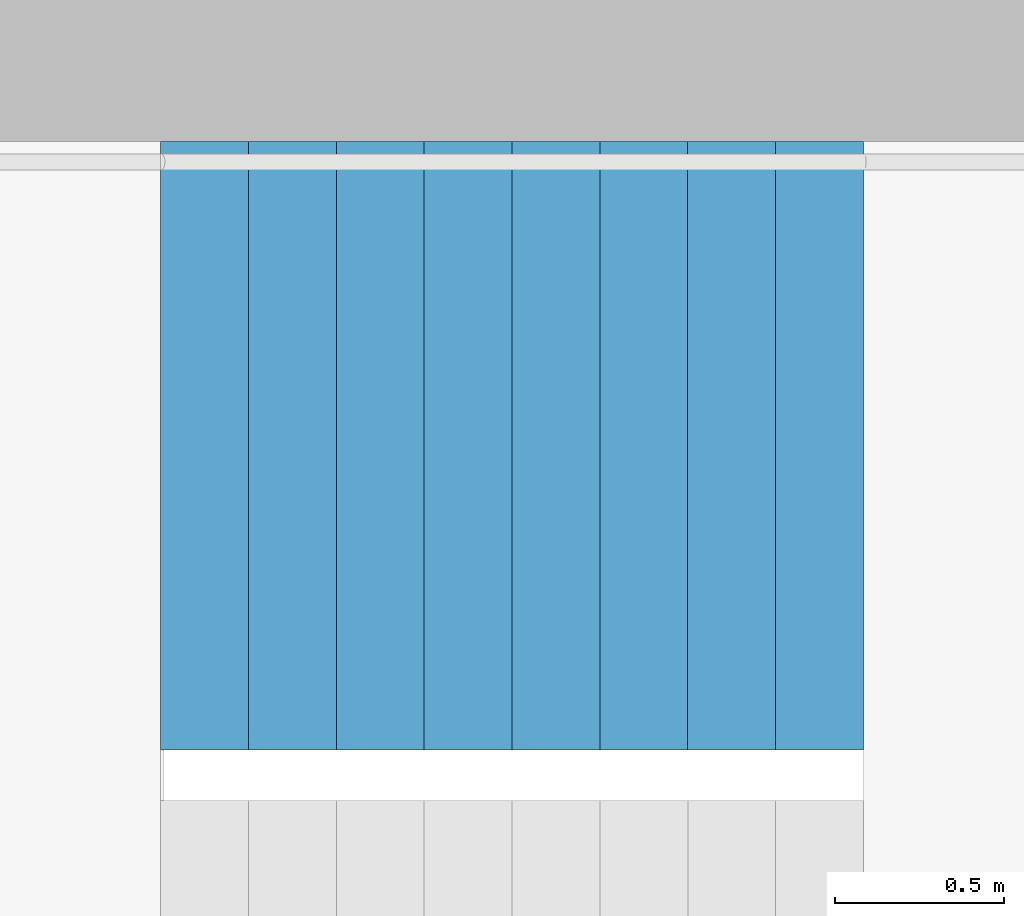
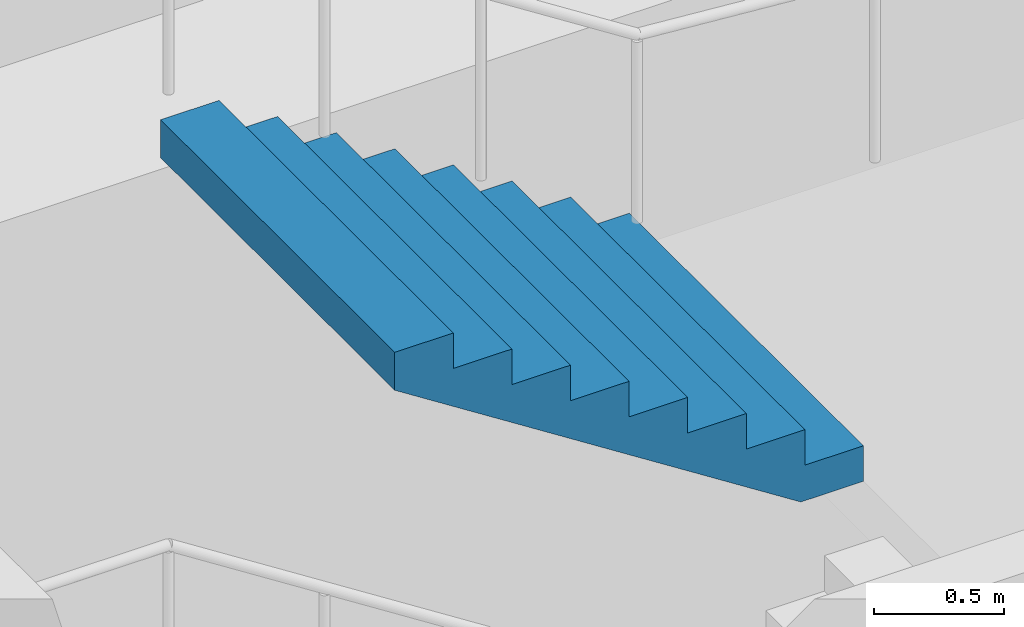
# One storey, part 57 of 100: 1 stair flight, 1 element without a shape of its own.
"""IFC4 building model written with IfcOpenShell, lengths in metres."""

import ifcopenshell
import ifcopenshell.guid

model = None  # the IFC model being written
_history = None  # IfcOwnerHistory: only IFC2X3 demands one
_inside = {}  # id of a spatial element -> (the spatial element, [elements in it])
_under = {}  # id of a project, library or spatial element -> (it, [spatial elements below it])
_declared = {}  # id of a project -> (the project, [libraries it declares])
_typed = {}  # id of a type object -> (the type object, [elements of that type])
_made_of = {}  # id of a material, layer set ... -> (it, [elements and type objects made of it])


def new_model(schema):
    """Start an empty IFC model of exactly this schema.

    Asked for "IFC4X3", IfcOpenShell would pick the latest addendum, in which some entities
    have other attributes; the version numbers below select the first issue.
    IFC2X3 requires an IfcOwnerHistory on every rooted entity: one is made here for all.
    """
    global model, _history
    if schema == "IFC4X3":
        model = ifcopenshell.file(schema_version=(4, 3, 0, 0))
    else:
        model = ifcopenshell.file(schema=schema)
    _inside.clear()
    _under.clear()
    _declared.clear()
    _typed.clear()
    _made_of.clear()
    _history = None
    if model.schema == "IFC2X3":
        org = make("IfcOrganization", Name="unknown")
        user = make(
            "IfcPersonAndOrganization",
            ThePerson=make("IfcPerson", FamilyName="unknown"),
            TheOrganization=org,
        )
        app = make(
            "IfcApplication",
            ApplicationDeveloper=org,
            Version="unknown",
            ApplicationFullName="unknown",
            ApplicationIdentifier="unknown",
        )
        _history = make(
            "IfcOwnerHistory",
            OwningUser=user,
            OwningApplication=app,
            ChangeAction="ADDED",
            CreationDate=0,
        )
    return model


def make(cls, **values):
    """One entity of the class cls with the attributes given. An attribute that is None is left unset."""
    return model.create_entity(
        cls, **{name: value for name, value in values.items() if value is not None}
    )


def rooted(cls, **values):
    """An entity with a GlobalId (a new one), such as an element, a storey or a relation."""
    return make(cls, GlobalId=ifcopenshell.guid.new(), OwnerHistory=_history, **values)


def si_unit(unit_type, name, prefix=None):
    """IfcSIUnit, for example si_unit("LENGTHUNIT", "METRE", prefix="MILLI")."""
    return make("IfcSIUnit", UnitType=unit_type, Prefix=prefix, Name=name)


def assignment(units):
    """IfcUnitAssignment: the units of a project."""
    return None if units is None else make("IfcUnitAssignment", Units=units)


def point(xyz):
    """IfcCartesianPoint."""
    return None if xyz is None else make("IfcCartesianPoint", Coordinates=xyz)


def direction(xyz):
    """IfcDirection."""
    return None if xyz is None else make("IfcDirection", DirectionRatios=xyz)


def frame(location, z_axis=None, x_axis=None):
    """IfcAxis2Placement3D, a coordinate frame: its origin and axes. An axis left out is left unset."""
    return make(
        "IfcAxis2Placement3D",
        Location=point(location),
        Axis=direction(z_axis),
        RefDirection=direction(x_axis),
    )


def origin():
    """The frame at (0, 0, 0) with its axes left unset."""
    return frame((0.0, 0.0, 0.0))


def place(relative_to, where):
    """IfcLocalPlacement: puts the frame where relative to a parent placement (None: the world)."""
    return make(
        "IfcLocalPlacement", PlacementRelTo=relative_to, RelativePlacement=where
    )


def context(
    kind, dimensions, precision=None, world=None, true_north=None, identifier=None
):
    """IfcGeometricRepresentationContext, for example the 3D "Model" context."""
    return make(
        "IfcGeometricRepresentationContext",
        ContextIdentifier=identifier,
        ContextType=kind,
        CoordinateSpaceDimension=dimensions,
        Precision=precision,
        WorldCoordinateSystem=world,
        TrueNorth=true_north,
    )


def subcontext(parent, identifier, kind, view, scale=None):
    """IfcGeometricRepresentationSubContext, for example "Body" below "Model"."""
    return make(
        "IfcGeometricRepresentationSubContext",
        ContextIdentifier=identifier,
        ContextType=kind,
        ParentContext=parent,
        TargetScale=scale,
        TargetView=view,
    )


def project(units=None, contexts=None):
    """IfcProject with its units and contexts."""
    return rooted(
        "IfcProject",
        Name="project",
        RepresentationContexts=contexts,
        UnitsInContext=assignment(units),
    )


def spatial(cls, under=None, at=None, **own):
    """A site, building, storey or space (cls), placed at a placement, below another one or the project."""
    s = rooted(cls, ObjectPlacement=at, **own)
    if under is not None:
        _under.setdefault(under.id(), (under, []))[1].append(s)
    return s


def point_list(points):
    """IfcCartesianPointList2D or 3D."""
    cls = (
        "IfcCartesianPointList2D" if len(points[0]) == 2 else "IfcCartesianPointList3D"
    )
    return make(cls, CoordList=points)


def triangles(points, corners, closed=None, point_numbers=None):
    """IfcTriangulatedFaceSet: each triangle names its three corners, points numbered from 1."""
    return make(
        "IfcTriangulatedFaceSet",
        Coordinates=point_list(points),
        Closed=closed,
        CoordIndex=corners,
        PnIndex=point_numbers,
    )


def shape(context_of_items, identifier, shape_type, items):
    """IfcShapeRepresentation: the items that make up one representation, for example the "Body"."""
    return make(
        "IfcShapeRepresentation",
        ContextOfItems=context_of_items,
        RepresentationIdentifier=identifier,
        RepresentationType=shape_type,
        Items=items,
    )


def material(Name=None, Category=None):
    """IfcMaterial."""
    return make("IfcMaterial", Name=Name, Category=Category)


def made_of(thing, what):
    """Note that an element or type object is made of a material, layer set ...; save() writes the relation."""
    if what is not None:
        _made_of.setdefault(what.id(), (what, []))[1].append(thing)
    return thing


def type_object(cls, material=None, **own):
    """A type object (cls), such as IfcWallType, which elements share."""
    return made_of(rooted(cls, **own), material)


def element(
    cls,
    number,
    at=None,
    inside=None,
    cuts=None,
    type_object=None,
    material=None,
    context=None,
    identifier="Body",
    shape_type=None,
    held_by="IfcProductDefinitionShape",
    body=None,
    shapes=None,
    **own,
):
    """One element of the class cls, such as IfcWall. Its Tag is "e" and its number.

    at: its placement. inside: the storey or other place that contains it. cuts: it is an
    opening in that element (IfcRelVoidsElement). A single representation is given by context,
    identifier, shape_type and body (its items); several are given by shapes. held_by: the class
    of the entity that holds the representations. save() writes the other relations.
    """
    e = rooted(cls, Tag="e%d" % number, ObjectPlacement=at, **own)
    if body is not None:
        shapes = [shape(context, identifier, shape_type, body)]
    if shapes is not None:
        e.Representation = make(held_by, Representations=shapes)
    if inside is not None:
        _inside.setdefault(inside.id(), (inside, []))[1].append(e)
    if cuts is not None:
        rooted(
            "IfcRelVoidsElement", RelatingBuildingElement=cuts, RelatedOpeningElement=e
        )
    if type_object is not None:
        _typed.setdefault(type_object.id(), (type_object, []))[1].append(e)
    return made_of(e, material)


def aggregate(whole, parts):
    """IfcRelAggregates: a whole, such as a stair, and the parts it consists of."""
    return rooted("IfcRelAggregates", RelatingObject=whole, RelatedObjects=parts)


def save(model, path):
    """Write the relations noted so far, then the file.

    IfcRelAggregates (storeys below a building ...), IfcRelContainedInSpatialStructure (elements
    in a storey), IfcRelDefinesByType, IfcRelAssociatesMaterial and IfcRelDeclares: one each for
    every whole, place, type object, material and project.
    """
    for whole, parts in _under.values():
        aggregate(whole, parts)
    for where, things in _inside.values():
        rooted(
            "IfcRelContainedInSpatialStructure",
            RelatedElements=things,
            RelatingStructure=where,
        )
    for kind, things in _typed.values():
        rooted("IfcRelDefinesByType", RelatedObjects=things, RelatingType=kind)
    for what, things in _made_of.values():
        rooted("IfcRelAssociatesMaterial", RelatedObjects=things, RelatingMaterial=what)
    for by, libraries in _declared.values():
        rooted("IfcRelDeclares", RelatingContext=by, RelatedDefinitions=libraries)
    model.write(path)


model = new_model("IFC4")

# Units and contexts
model_context = context("Model", 3, precision=1e-05, world=origin(), true_north=direction((0.0, 1.0)))
body_context = subcontext(model_context, "Body", "Model", "MODEL_VIEW")
ifc_project = project(units=[si_unit("LENGTHUNIT", "METRE"), si_unit("AREAUNIT", "SQUARE_METRE"), si_unit("VOLUMEUNIT", "CUBIC_METRE"), si_unit("PLANEANGLEUNIT", "RADIAN"), si_unit("MASSUNIT", "GRAM", prefix="KILO")], contexts=[model_context])

# Site, building, storey
site_placement = place(None, origin())
site = spatial("IfcSite", under=ifc_project, at=site_placement, CompositionType="ELEMENT")
building_placement = place(site_placement, origin())
building = spatial("IfcBuilding", under=site, at=building_placement, Name="Hakoniwa Tower and Hamabe Station Hall", CompositionType="ELEMENT")
storey_placement = place(building_placement, frame((0.0, 0.0, 9.0)))
storey = spatial("IfcBuildingStorey", under=building, at=storey_placement, Name="L02", CompositionType="ELEMENT", Elevation=9.0)

# Stair, stair flight
ifc_material_1 = material(Name="Concrete C40", Category="concrete")
stair_type = type_object("IfcStairType", Name="ESCAPE STAIR 1800", PredefinedType="HALF_TURN_STAIR", material=ifc_material_1)
stair_placement = place(storey_placement, origin())
stair = element("IfcStair", 1, at=stair_placement, inside=storey, type_object=stair_type, Name="Escape stair ST-1 L02", PredefinedType="HALF_TURN_STAIR")
ifc_material_2 = material(Name="Concrete C40", Category="concrete")
stair_flight_type = type_object("IfcStairFlightType", Name="STAIR FLIGHT 1800", PredefinedType="STRAIGHT", material=ifc_material_2)
stair_flight_placement = place(storey_placement, frame((-22.320068359375, 6.60009765625, 4.5), z_axis=(0.0, 0.0, 1.0), x_axis=(-1.0, 0.0, 0.0)))
stair_flight = element("IfcStairFlight", 2, at=stair_flight_placement, type_object=stair_flight_type, Name="ST-1 flight 4", NumberOfRisers=9, NumberOfTreads=8, PredefinedType="STRAIGHT", RiserHeight=0.166666667, TreadLength=0.26, context=body_context, shape_type="Tessellation", body=[
    triangles([(0.0, 0.89990234375, 0.0), (0.260009765625, 0.89990234375, 0.0), (0.27783203125, 0.89990234375, 0.0), (0.52001953125, 0.89990234375, 0.1552734375), (0.780029296875, 0.89990234375, 0.322021484375), (1.0400390625, 0.89990234375, 0.488525390625), (1.300048828125, 0.89990234375, 0.6552734375), (1.56005859375, 0.89990234375, 0.822021484375), (1.820068359375, 0.89990234375, 0.988525390625), (2.080078125, 0.89990234375, 1.1552734375), (2.080078125, 0.89990234375, 1.333251953125), (1.820068359375, 0.89990234375, 1.333251953125), (1.820068359375, 0.89990234375, 1.166748046875), (1.56005859375, 0.89990234375, 1.166748046875), (1.56005859375, 0.89990234375, 1.0), (1.300048828125, 0.89990234375, 1.0), (1.300048828125, 0.89990234375, 0.833251953125), (1.0400390625, 0.89990234375, 0.833251953125), (1.0400390625, 0.89990234375, 0.666748046875), (0.780029296875, 0.89990234375, 0.666748046875), (0.780029296875, 0.89990234375, 0.5), (0.52001953125, 0.89990234375, 0.5), (0.52001953125, 0.89990234375, 0.333251953125), (0.27783203125, 0.89990234375, 0.333251953125), (0.260009765625, 0.89990234375, 0.333251953125), (0.260009765625, 0.89990234375, 0.166748046875), (0.0, 0.89990234375, 0.166748046875), (0.0, 0.06005859375, 0.0), (0.260009765625, 0.06005859375, 0.0), (0.27783203125, 0.06005859375, 0.0), (0.52001953125, 0.06005859375, 0.1552734375), (0.780029296875, 0.06005859375, 0.322021484375), (1.0400390625, 0.06005859375, 0.488525390625), (1.300048828125, 0.06005859375, 0.6552734375), (1.56005859375, 0.06005859375, 0.822021484375), (1.820068359375, 0.06005859375, 0.988525390625), (2.080078125, 0.06005859375, 1.1552734375), (2.080078125, 0.06005859375, 1.333251953125), (1.820068359375, 0.06005859375, 1.333251953125), (1.820068359375, 0.06005859375, 1.166748046875), (1.56005859375, 0.06005859375, 1.166748046875), (1.56005859375, 0.06005859375, 1.0), (1.300048828125, 0.06005859375, 1.0), (1.300048828125, 0.06005859375, 0.833251953125), (1.0400390625, 0.06005859375, 0.833251953125), (1.0400390625, 0.06005859375, 0.666748046875), (0.780029296875, 0.06005859375, 0.666748046875), (0.780029296875, 0.06005859375, 0.5), (0.52001953125, 0.06005859375, 0.5), (0.52001953125, 0.06005859375, 0.333251953125), (0.27783203125, 0.06005859375, 0.333251953125), (0.260009765625, 0.06005859375, 0.333251953125), (0.260009765625, 0.06005859375, 0.166748046875), (0.0, 0.06005859375, 0.166748046875), (0.0, 0.04296875, 0.0), (0.260009765625, 0.04296875, 0.0), (0.27783203125, 0.04296875, 0.0), (0.52001953125, 0.04296875, 0.1552734375), (0.780029296875, 0.04296875, 0.322021484375), (1.0400390625, 0.04296875, 0.488525390625), (1.300048828125, 0.04296875, 0.6552734375), (1.56005859375, 0.04296875, 0.822021484375), (1.820068359375, 0.04296875, 0.988525390625), (2.080078125, 0.04296875, 1.1552734375), (2.080078125, 0.04296875, 1.333251953125), (1.820068359375, 0.04296875, 1.333251953125), (1.820068359375, 0.04296875, 1.166748046875), (1.56005859375, 0.04296875, 1.166748046875), (1.56005859375, 0.04296875, 1.0), (1.300048828125, 0.04296875, 1.0), (1.300048828125, 0.04296875, 0.833251953125), (1.0400390625, 0.04296875, 0.833251953125), (1.0400390625, 0.04296875, 0.666748046875), (0.780029296875, 0.04296875, 0.666748046875), (0.780029296875, 0.04296875, 0.5), (0.52001953125, 0.04296875, 0.5), (0.52001953125, 0.04296875, 0.333251953125), (0.27783203125, 0.04296875, 0.333251953125), (0.260009765625, 0.04296875, 0.333251953125), (0.260009765625, 0.04296875, 0.166748046875), (0.0, 0.04296875, 0.166748046875), (0.0, 0.025634765625, 0.0), (0.260009765625, 0.025634765625, 0.0), (0.27783203125, 0.025634765625, 0.0), (0.52001953125, 0.025634765625, 0.1552734375), (0.780029296875, 0.025634765625, 0.322021484375), (1.0400390625, 0.025634765625, 0.488525390625), (1.300048828125, 0.025634765625, 0.6552734375), (1.56005859375, 0.025634765625, 0.822021484375), (1.820068359375, 0.025634765625, 0.988525390625), (2.080078125, 0.025634765625, 1.1552734375), (2.080078125, 0.025634765625, 1.333251953125), (1.820068359375, 0.025634765625, 1.333251953125), (1.820068359375, 0.025634765625, 1.166748046875), (1.56005859375, 0.025634765625, 1.166748046875), (1.56005859375, 0.025634765625, 1.0), (1.300048828125, 0.025634765625, 1.0), (1.300048828125, 0.025634765625, 0.833251953125), (1.0400390625, 0.025634765625, 0.833251953125), (1.0400390625, 0.025634765625, 0.666748046875), (0.780029296875, 0.025634765625, 0.666748046875), (0.780029296875, 0.025634765625, 0.5), (0.52001953125, 0.025634765625, 0.5), (0.52001953125, 0.025634765625, 0.333251953125), (0.27783203125, 0.025634765625, 0.333251953125), (0.260009765625, 0.025634765625, 0.333251953125), (0.260009765625, 0.025634765625, 0.166748046875), (0.0, 0.025634765625, 0.166748046875), (0.0, 0.008544921875, 0.0), (0.260009765625, 0.008544921875, 0.0), (0.27783203125, 0.008544921875, 0.0), (0.52001953125, 0.008544921875, 0.1552734375), (0.780029296875, 0.008544921875, 0.322021484375), (1.0400390625, 0.008544921875, 0.488525390625), (1.300048828125, 0.008544921875, 0.6552734375), (1.56005859375, 0.008544921875, 0.822021484375), (1.820068359375, 0.008544921875, 0.988525390625), (2.080078125, 0.008544921875, 1.1552734375), (2.080078125, 0.008544921875, 1.333251953125), (1.820068359375, 0.008544921875, 1.333251953125), (1.820068359375, 0.008544921875, 1.166748046875), (1.56005859375, 0.008544921875, 1.166748046875), (1.56005859375, 0.008544921875, 1.0), (1.300048828125, 0.008544921875, 1.0), (1.300048828125, 0.008544921875, 0.833251953125), (1.0400390625, 0.008544921875, 0.833251953125), (1.0400390625, 0.008544921875, 0.666748046875), (0.780029296875, 0.008544921875, 0.666748046875), (0.780029296875, 0.008544921875, 0.5), (0.52001953125, 0.008544921875, 0.5), (0.52001953125, 0.008544921875, 0.333251953125), (0.27783203125, 0.008544921875, 0.333251953125), (0.260009765625, 0.008544921875, 0.333251953125), (0.260009765625, 0.008544921875, 0.166748046875), (0.0, 0.008544921875, 0.166748046875), (0.0, -0.008544921875, 0.0), (0.260009765625, -0.008544921875, 0.0), (0.27783203125, -0.008544921875, 0.0), (0.52001953125, -0.008544921875, 0.1552734375), (0.780029296875, -0.008544921875, 0.322021484375), (1.0400390625, -0.008544921875, 0.488525390625), (1.300048828125, -0.008544921875, 0.6552734375), (1.56005859375, -0.008544921875, 0.822021484375), (1.820068359375, -0.008544921875, 0.988525390625), (2.080078125, -0.008544921875, 1.1552734375), (2.080078125, -0.008544921875, 1.333251953125), (1.820068359375, -0.008544921875, 1.333251953125), (1.820068359375, -0.008544921875, 1.166748046875), (1.56005859375, -0.008544921875, 1.166748046875), (1.56005859375, -0.008544921875, 1.0), (1.300048828125, -0.008544921875, 1.0), (1.300048828125, -0.008544921875, 0.833251953125), (1.0400390625, -0.008544921875, 0.833251953125), (1.0400390625, -0.008544921875, 0.666748046875), (0.780029296875, -0.008544921875, 0.666748046875), (0.780029296875, -0.008544921875, 0.5), (0.52001953125, -0.008544921875, 0.5), (0.52001953125, -0.008544921875, 0.333251953125), (0.27783203125, -0.008544921875, 0.333251953125), (0.260009765625, -0.008544921875, 0.333251953125), (0.260009765625, -0.008544921875, 0.166748046875), (0.0, -0.008544921875, 0.166748046875), (0.0, -0.025634765625, 0.0), (0.260009765625, -0.025634765625, 0.0), (0.27783203125, -0.025634765625, 0.0), (0.52001953125, -0.025634765625, 0.1552734375), (0.780029296875, -0.025634765625, 0.322021484375), (1.0400390625, -0.025634765625, 0.488525390625), (1.300048828125, -0.025634765625, 0.6552734375), (1.56005859375, -0.025634765625, 0.822021484375), (1.820068359375, -0.025634765625, 0.988525390625), (2.080078125, -0.025634765625, 1.1552734375), (2.080078125, -0.025634765625, 1.333251953125), (1.820068359375, -0.025634765625, 1.333251953125), (1.820068359375, -0.025634765625, 1.166748046875), (1.56005859375, -0.025634765625, 1.166748046875), (1.56005859375, -0.025634765625, 1.0), (1.300048828125, -0.025634765625, 1.0), (1.300048828125, -0.025634765625, 0.833251953125), (1.0400390625, -0.025634765625, 0.833251953125), (1.0400390625, -0.025634765625, 0.666748046875), (0.780029296875, -0.025634765625, 0.666748046875), (0.780029296875, -0.025634765625, 0.5), (0.52001953125, -0.025634765625, 0.5), (0.52001953125, -0.025634765625, 0.333251953125), (0.27783203125, -0.025634765625, 0.333251953125), (0.260009765625, -0.025634765625, 0.333251953125), (0.260009765625, -0.025634765625, 0.166748046875), (0.0, -0.025634765625, 0.166748046875), (0.0, -0.04296875, 0.0), (0.260009765625, -0.04296875, 0.0), (0.27783203125, -0.04296875, 0.0), (0.52001953125, -0.04296875, 0.1552734375), (0.780029296875, -0.04296875, 0.322021484375), (1.0400390625, -0.04296875, 0.488525390625), (1.300048828125, -0.04296875, 0.6552734375), (1.56005859375, -0.04296875, 0.822021484375), (1.820068359375, -0.04296875, 0.988525390625), (2.080078125, -0.04296875, 1.1552734375), (2.080078125, -0.04296875, 1.333251953125), (1.820068359375, -0.04296875, 1.333251953125), (1.820068359375, -0.04296875, 1.166748046875), (1.56005859375, -0.04296875, 1.166748046875), (1.56005859375, -0.04296875, 1.0), (1.300048828125, -0.04296875, 1.0), (1.300048828125, -0.04296875, 0.833251953125), (1.0400390625, -0.04296875, 0.833251953125), (1.0400390625, -0.04296875, 0.666748046875), (0.780029296875, -0.04296875, 0.666748046875), (0.780029296875, -0.04296875, 0.5), (0.52001953125, -0.04296875, 0.5), (0.52001953125, -0.04296875, 0.333251953125), (0.27783203125, -0.04296875, 0.333251953125), (0.260009765625, -0.04296875, 0.333251953125), (0.260009765625, -0.04296875, 0.166748046875), (0.0, -0.04296875, 0.166748046875), (0.0, -0.06005859375, 0.0), (0.260009765625, -0.06005859375, 0.0), (0.27783203125, -0.06005859375, 0.0), (0.52001953125, -0.06005859375, 0.1552734375), (0.780029296875, -0.06005859375, 0.322021484375), (1.0400390625, -0.06005859375, 0.488525390625), (1.300048828125, -0.06005859375, 0.6552734375), (1.56005859375, -0.06005859375, 0.822021484375), (1.820068359375, -0.06005859375, 0.988525390625), (2.080078125, -0.06005859375, 1.1552734375), (2.080078125, -0.06005859375, 1.333251953125), (1.820068359375, -0.06005859375, 1.333251953125), (1.820068359375, -0.06005859375, 1.166748046875), (1.56005859375, -0.06005859375, 1.166748046875), (1.56005859375, -0.06005859375, 1.0), (1.300048828125, -0.06005859375, 1.0), (1.300048828125, -0.06005859375, 0.833251953125), (1.0400390625, -0.06005859375, 0.833251953125), (1.0400390625, -0.06005859375, 0.666748046875), (0.780029296875, -0.06005859375, 0.666748046875), (0.780029296875, -0.06005859375, 0.5), (0.52001953125, -0.06005859375, 0.5), (0.52001953125, -0.06005859375, 0.333251953125), (0.27783203125, -0.06005859375, 0.333251953125), (0.260009765625, -0.06005859375, 0.333251953125), (0.260009765625, -0.06005859375, 0.166748046875), (0.0, -0.06005859375, 0.166748046875), (0.0, -0.89990234375, 0.0), (0.260009765625, -0.89990234375, 0.0), (0.27783203125, -0.89990234375, 0.0), (0.52001953125, -0.89990234375, 0.1552734375), (0.780029296875, -0.89990234375, 0.322021484375), (1.0400390625, -0.89990234375, 0.488525390625), (1.300048828125, -0.89990234375, 0.6552734375), (1.56005859375, -0.89990234375, 0.822021484375), (1.820068359375, -0.89990234375, 0.988525390625), (2.080078125, -0.89990234375, 1.1552734375), (2.080078125, -0.89990234375, 1.333251953125), (1.820068359375, -0.89990234375, 1.333251953125), (1.820068359375, -0.89990234375, 1.166748046875), (1.56005859375, -0.89990234375, 1.166748046875), (1.56005859375, -0.89990234375, 1.0), (1.300048828125, -0.89990234375, 1.0), (1.300048828125, -0.89990234375, 0.833251953125), (1.0400390625, -0.89990234375, 0.833251953125), (1.0400390625, -0.89990234375, 0.666748046875), (0.780029296875, -0.89990234375, 0.666748046875), (0.780029296875, -0.89990234375, 0.5), (0.52001953125, -0.89990234375, 0.5), (0.52001953125, -0.89990234375, 0.333251953125), (0.27783203125, -0.89990234375, 0.333251953125), (0.260009765625, -0.89990234375, 0.333251953125), (0.260009765625, -0.89990234375, 0.166748046875), (0.0, -0.89990234375, 0.166748046875)], [[2, 27, 26], [245, 269, 270], [2, 1, 27], [245, 270, 244], [3, 25, 24], [246, 267, 268], [3, 26, 25], [246, 268, 269], [3, 2, 26], [246, 269, 245], [4, 24, 23], [247, 266, 267], [4, 3, 24], [247, 267, 246], [5, 22, 21], [248, 264, 265], [5, 23, 22], [248, 265, 266], [5, 4, 23], [248, 266, 247], [6, 20, 19], [249, 262, 263], [6, 21, 20], [249, 263, 264], [6, 5, 21], [249, 264, 248], [7, 18, 17], [250, 260, 261], [7, 19, 18], [250, 261, 262], [7, 6, 19], [250, 262, 249], [8, 16, 15], [251, 258, 259], [8, 17, 16], [251, 259, 260], [8, 7, 17], [251, 260, 250], [9, 14, 13], [252, 256, 257], [9, 15, 14], [252, 257, 258], [9, 8, 15], [252, 258, 251], [10, 12, 11], [253, 254, 255], [10, 13, 12], [253, 255, 256], [10, 9, 13], [253, 256, 252], [1, 2, 29], [1, 29, 28], [28, 29, 56], [28, 56, 55], [55, 56, 83], [55, 83, 82], [82, 83, 110], [82, 110, 109], [109, 110, 137], [109, 137, 136], [136, 137, 164], [136, 164, 163], [163, 164, 191], [163, 191, 190], [190, 191, 218], [190, 218, 217], [217, 218, 245], [217, 245, 244], [2, 3, 30], [2, 30, 29], [29, 30, 57], [29, 57, 56], [56, 57, 84], [56, 84, 83], [83, 84, 111], [83, 111, 110], [110, 111, 138], [110, 138, 137], [137, 138, 165], [137, 165, 164], [164, 165, 192], [164, 192, 191], [191, 192, 219], [191, 219, 218], [218, 219, 246], [218, 246, 245], [3, 4, 31], [3, 31, 30], [30, 31, 58], [30, 58, 57], [57, 58, 85], [57, 85, 84], [84, 85, 112], [84, 112, 111], [111, 112, 139], [111, 139, 138], [138, 139, 166], [138, 166, 165], [165, 166, 193], [165, 193, 192], [192, 193, 220], [192, 220, 219], [219, 220, 247], [219, 247, 246], [4, 5, 32], [4, 32, 31], [31, 32, 59], [31, 59, 58], [58, 59, 86], [58, 86, 85], [85, 86, 113], [85, 113, 112], [112, 113, 140], [112, 140, 139], [139, 140, 167], [139, 167, 166], [166, 167, 194], [166, 194, 193], [193, 194, 221], [193, 221, 220], [220, 221, 248], [220, 248, 247], [5, 6, 33], [5, 33, 32], [32, 33, 60], [32, 60, 59], [59, 60, 87], [59, 87, 86], [86, 87, 114], [86, 114, 113], [113, 114, 141], [113, 141, 140], [140, 141, 168], [140, 168, 167], [167, 168, 195], [167, 195, 194], [194, 195, 222], [194, 222, 221], [221, 222, 249], [221, 249, 248], [6, 7, 34], [6, 34, 33], [33, 34, 61], [33, 61, 60], [60, 61, 88], [60, 88, 87], [87, 88, 115], [87, 115, 114], [114, 115, 142], [114, 142, 141], [141, 142, 169], [141, 169, 168], [168, 169, 196], [168, 196, 195], [195, 196, 223], [195, 223, 222], [222, 223, 250], [222, 250, 249], [7, 8, 35], [7, 35, 34], [34, 35, 62], [34, 62, 61], [61, 62, 89], [61, 89, 88], [88, 89, 116], [88, 116, 115], [115, 116, 143], [115, 143, 142], [142, 143, 170], [142, 170, 169], [169, 170, 197], [169, 197, 196], [196, 197, 224], [196, 224, 223], [223, 224, 251], [223, 251, 250], [8, 9, 36], [8, 36, 35], [35, 36, 63], [35, 63, 62], [62, 63, 90], [62, 90, 89], [89, 90, 117], [89, 117, 116], [116, 117, 144], [116, 144, 143], [143, 144, 171], [143, 171, 170], [170, 171, 198], [170, 198, 197], [197, 198, 225], [197, 225, 224], [224, 225, 252], [224, 252, 251], [9, 10, 37], [9, 37, 36], [36, 37, 64], [36, 64, 63], [63, 64, 91], [63, 91, 90], [90, 91, 118], [90, 118, 117], [117, 118, 145], [117, 145, 144], [144, 145, 172], [144, 172, 171], [171, 172, 199], [171, 199, 198], [198, 199, 226], [198, 226, 225], [225, 226, 253], [225, 253, 252], [10, 11, 38], [10, 38, 37], [37, 38, 65], [37, 65, 64], [64, 65, 92], [64, 92, 91], [91, 92, 119], [91, 119, 118], [118, 119, 146], [118, 146, 145], [145, 146, 173], [145, 173, 172], [172, 173, 200], [172, 200, 199], [199, 200, 227], [199, 227, 226], [226, 227, 254], [226, 254, 253], [11, 12, 39], [11, 39, 38], [38, 39, 66], [38, 66, 65], [65, 66, 93], [65, 93, 92], [92, 93, 120], [92, 120, 119], [119, 120, 147], [119, 147, 146], [146, 147, 174], [146, 174, 173], [173, 174, 201], [173, 201, 200], [200, 201, 228], [200, 228, 227], [227, 228, 255], [227, 255, 254], [12, 13, 40], [12, 40, 39], [39, 40, 67], [39, 67, 66], [66, 67, 94], [66, 94, 93], [93, 94, 121], [93, 121, 120], [120, 121, 148], [120, 148, 147], [147, 148, 175], [147, 175, 174], [174, 175, 202], [174, 202, 201], [201, 202, 229], [201, 229, 228], [228, 229, 256], [228, 256, 255], [13, 14, 41], [13, 41, 40], [40, 41, 68], [40, 68, 67], [67, 68, 95], [67, 95, 94], [94, 95, 122], [94, 122, 121], [121, 122, 149], [121, 149, 148], [148, 149, 176], [148, 176, 175], [175, 176, 203], [175, 203, 202], [202, 203, 230], [202, 230, 229], [229, 230, 257], [229, 257, 256], [14, 15, 42], [14, 42, 41], [41, 42, 69], [41, 69, 68], [68, 69, 96], [68, 96, 95], [95, 96, 123], [95, 123, 122], [122, 123, 150], [122, 150, 149], [149, 150, 177], [149, 177, 176], [176, 177, 204], [176, 204, 203], [203, 204, 231], [203, 231, 230], [230, 231, 258], [230, 258, 257], [15, 16, 43], [15, 43, 42], [42, 43, 70], [42, 70, 69], [69, 70, 97], [69, 97, 96], [96, 97, 124], [96, 124, 123], [123, 124, 151], [123, 151, 150], [150, 151, 178], [150, 178, 177], [177, 178, 205], [177, 205, 204], [204, 205, 232], [204, 232, 231], [231, 232, 259], [231, 259, 258], [16, 17, 44], [16, 44, 43], [43, 44, 71], [43, 71, 70], [70, 71, 98], [70, 98, 97], [97, 98, 125], [97, 125, 124], [124, 125, 152], [124, 152, 151], [151, 152, 179], [151, 179, 178], [178, 179, 206], [178, 206, 205], [205, 206, 233], [205, 233, 232], [232, 233, 260], [232, 260, 259], [17, 18, 45], [17, 45, 44], [44, 45, 72], [44, 72, 71], [71, 72, 99], [71, 99, 98], [98, 99, 126], [98, 126, 125], [125, 126, 153], [125, 153, 152], [152, 153, 180], [152, 180, 179], [179, 180, 207], [179, 207, 206], [206, 207, 234], [206, 234, 233], [233, 234, 261], [233, 261, 260], [18, 19, 46], [18, 46, 45], [45, 46, 73], [45, 73, 72], [72, 73, 100], [72, 100, 99], [99, 100, 127], [99, 127, 126], [126, 127, 154], [126, 154, 153], [153, 154, 181], [153, 181, 180], [180, 181, 208], [180, 208, 207], [207, 208, 235], [207, 235, 234], [234, 235, 262], [234, 262, 261], [19, 20, 47], [19, 47, 46], [46, 47, 74], [46, 74, 73], [73, 74, 101], [73, 101, 100], [100, 101, 128], [100, 128, 127], [127, 128, 155], [127, 155, 154], [154, 155, 182], [154, 182, 181], [181, 182, 209], [181, 209, 208], [208, 209, 236], [208, 236, 235], [235, 236, 263], [235, 263, 262], [20, 21, 48], [20, 48, 47], [47, 48, 75], [47, 75, 74], [74, 75, 102], [74, 102, 101], [101, 102, 129], [101, 129, 128], [128, 129, 156], [128, 156, 155], [155, 156, 183], [155, 183, 182], [182, 183, 210], [182, 210, 209], [209, 210, 237], [209, 237, 236], [236, 237, 264], [236, 264, 263], [21, 22, 49], [21, 49, 48], [48, 49, 76], [48, 76, 75], [75, 76, 103], [75, 103, 102], [102, 103, 130], [102, 130, 129], [129, 130, 157], [129, 157, 156], [156, 157, 184], [156, 184, 183], [183, 184, 211], [183, 211, 210], [210, 211, 238], [210, 238, 237], [237, 238, 265], [237, 265, 264], [22, 23, 50], [22, 50, 49], [49, 50, 77], [49, 77, 76], [76, 77, 104], [76, 104, 103], [103, 104, 131], [103, 131, 130], [130, 131, 158], [130, 158, 157], [157, 158, 185], [157, 185, 184], [184, 185, 212], [184, 212, 211], [211, 212, 239], [211, 239, 238], [238, 239, 266], [238, 266, 265], [23, 24, 51], [23, 51, 50], [50, 51, 78], [50, 78, 77], [77, 78, 105], [77, 105, 104], [104, 105, 132], [104, 132, 131], [131, 132, 159], [131, 159, 158], [158, 159, 186], [158, 186, 185], [185, 186, 213], [185, 213, 212], [212, 213, 240], [212, 240, 239], [239, 240, 267], [239, 267, 266], [24, 25, 52], [24, 52, 51], [51, 52, 79], [51, 79, 78], [78, 79, 106], [78, 106, 105], [105, 106, 133], [105, 133, 132], [132, 133, 160], [132, 160, 159], [159, 160, 187], [159, 187, 186], [186, 187, 214], [186, 214, 213], [213, 214, 241], [213, 241, 240], [240, 241, 268], [240, 268, 267], [25, 26, 53], [25, 53, 52], [52, 53, 80], [52, 80, 79], [79, 80, 107], [79, 107, 106], [106, 107, 134], [106, 134, 133], [133, 134, 161], [133, 161, 160], [160, 161, 188], [160, 188, 187], [187, 188, 215], [187, 215, 214], [214, 215, 242], [214, 242, 241], [241, 242, 269], [241, 269, 268], [26, 27, 54], [26, 54, 53], [53, 54, 81], [53, 81, 80], [80, 81, 108], [80, 108, 107], [107, 108, 135], [107, 135, 134], [134, 135, 162], [134, 162, 161], [161, 162, 189], [161, 189, 188], [188, 189, 216], [188, 216, 215], [215, 216, 243], [215, 243, 242], [242, 243, 270], [242, 270, 269], [27, 1, 28], [27, 28, 54], [54, 28, 55], [54, 55, 81], [81, 55, 82], [81, 82, 108], [108, 82, 109], [108, 109, 135], [135, 109, 136], [135, 136, 162], [162, 136, 163], [162, 163, 189], [189, 163, 190], [189, 190, 216], [216, 190, 217], [216, 217, 243], [243, 217, 244], [243, 244, 270]], closed=True),
])
aggregate(stair, [stair_flight])

save(model, "model.ifc")
